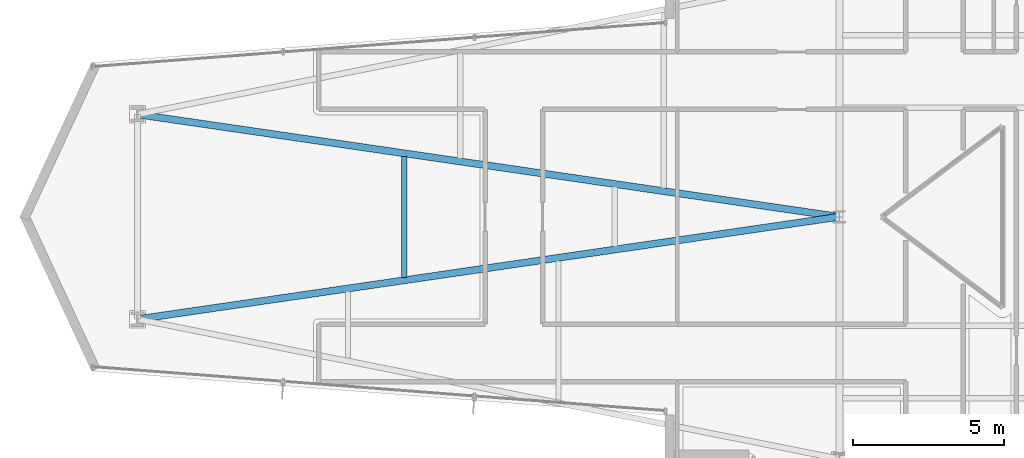
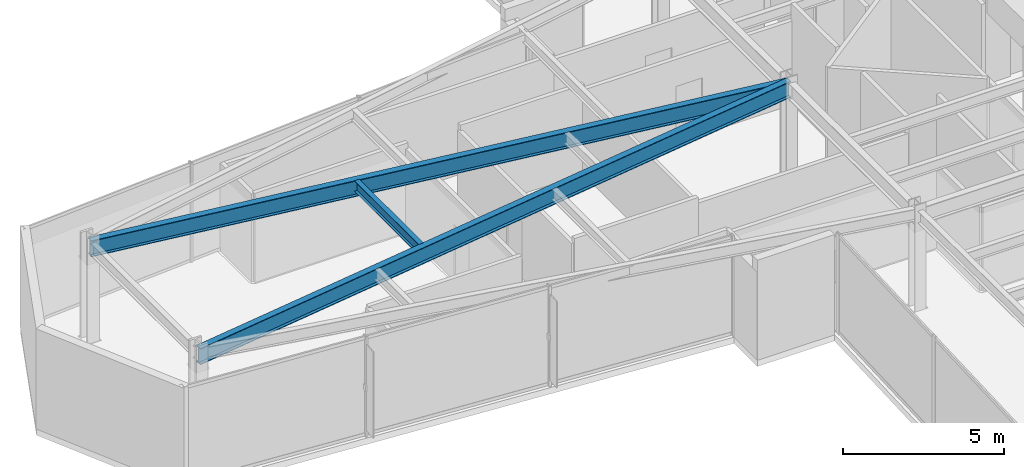
# One storey, part 7 of 30: 3 beams.
"""IFC4 building model written with IfcOpenShell, lengths in metres."""

from ifc_helpers import new_model, si_unit, direction, frame, origin, origin_2d, place, context, subcontext, project, spatial, i_section, extrude, material, material_profile, profile_set, type_object, element, save


model = new_model("IFC4")

# Units and contexts
model_context = context("Model", 3, precision=1e-05, world=origin(), true_north=direction((0.0, 1.0)))
body_context = subcontext(model_context, "Body", "Model", "MODEL_VIEW")
ifc_project = project(units=[si_unit("LENGTHUNIT", "METRE"), si_unit("AREAUNIT", "SQUARE_METRE"), si_unit("VOLUMEUNIT", "CUBIC_METRE"), si_unit("PLANEANGLEUNIT", "RADIAN"), si_unit("MASSUNIT", "GRAM", prefix="KILO")], contexts=[model_context])

# Site, building, storey
site_placement = place(None, origin())
site = spatial("IfcSite", under=ifc_project, at=site_placement, CompositionType="ELEMENT")
building_placement = place(site_placement, origin())
building = spatial("IfcBuilding", under=site, at=building_placement, Name="Veymaron Broadcast Tower", CompositionType="ELEMENT")
storey_placement = place(building_placement, frame((0.0, 0.0, 37.800048828125)))
storey = spatial("IfcBuildingStorey", under=building, at=storey_placement, Name="L07", CompositionType="ELEMENT", Elevation=37.800048828125)

# Beams
ifc_material = material(Name="Structural steel ASTM A992 Gr 50", Category="steel")
ifc_material_profile_1 = material_profile(ifc_material, i_section(OverallWidth=0.22998046875, OverallDepth=0.616943359375, WebThickness=0.01318359375, FlangeThickness=0.022216796875, at=origin_2d()), Name="W610X140")
ifc_profile_set_1 = profile_set([ifc_material_profile_1], Name="Structural steel ASTM A992 Gr 50")
beam_type_1 = type_object("IfcBeamType", Name="BM-FG1", PredefinedType="BEAM", material=ifc_profile_set_1)
for number, where, z_axis, x_axis, name in (
    (1, (8.007080078125, 20.614990234375, 3.50146484375), (0.989516427304, 0.144420359003, 0.0), (-0.144420359003, 0.989516427304, 0.0), "L07 primary structural floor girder"),
    (2, (8.007080078125, 27.385009765625, 3.50146484375), (0.989516427304, -0.144420359003, 0.0), (0.144420359003, 0.989516427304, 0.0), "L07 primary structural floor girder"),
):
    element("IfcBeam", number, at=place(storey_placement, frame(where, z_axis=z_axis, x_axis=x_axis)), inside=storey, type_object=beam_type_1, Name=name, PredefinedType="BEAM", context=body_context, shape_type="SweptSolid", body=[
        extrude(i_section(OverallWidth=0.22998046875, OverallDepth=0.616943359375, WebThickness=0.01318359375, FlangeThickness=0.022216796875, at=origin_2d()), origin(), (0.0, 0.0, 1.0), 23.4384765625),
    ])
ifc_material_profile_2 = material_profile(ifc_material, i_section(OverallWidth=0.177978515625, OverallDepth=0.406982421875, WebThickness=0.0078125, FlangeThickness=0.0126953125, at=origin_2d()), Name="W410X60")
ifc_profile_set_2 = profile_set([ifc_material_profile_2], Name="Structural steel ASTM A992 Gr 50")
beam_type_2 = type_object("IfcBeamType", Name="BM-JS1", PredefinedType="JOIST", material=ifc_profile_set_2)
beam_placement = place(storey_placement, frame((16.8203125, 22.001220703125, 3.6064453125), z_axis=(0.0, 1.0, 0.0), x_axis=(-1.0, 0.0, 0.0)))
element("IfcBeam", 3, at=beam_placement, inside=storey, type_object=beam_type_2, Name="L07 Arm-A secondary joist 1M", PredefinedType="JOIST", context=body_context, shape_type="SweptSolid", body=[
    extrude(i_section(OverallWidth=0.177978515625, OverallDepth=0.406982421875, WebThickness=0.0078125, FlangeThickness=0.0126953125, at=origin_2d()), origin(), (0.0, 0.0, 1.0), 3.99755859375),
])

save(model, "model.ifc")
